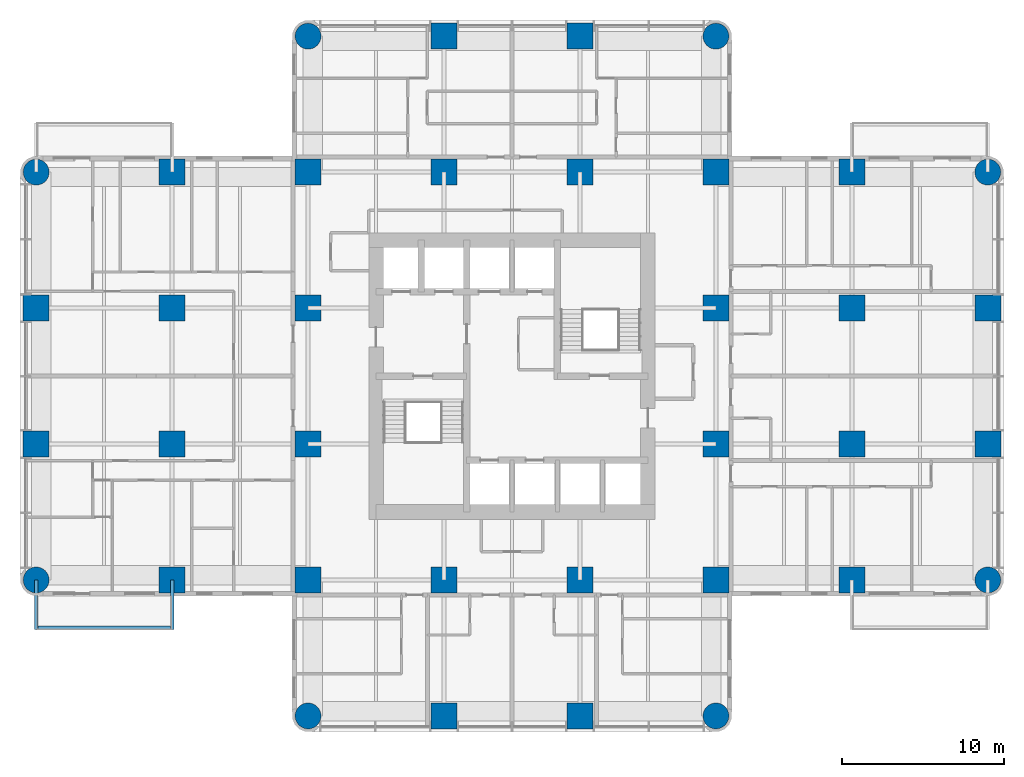
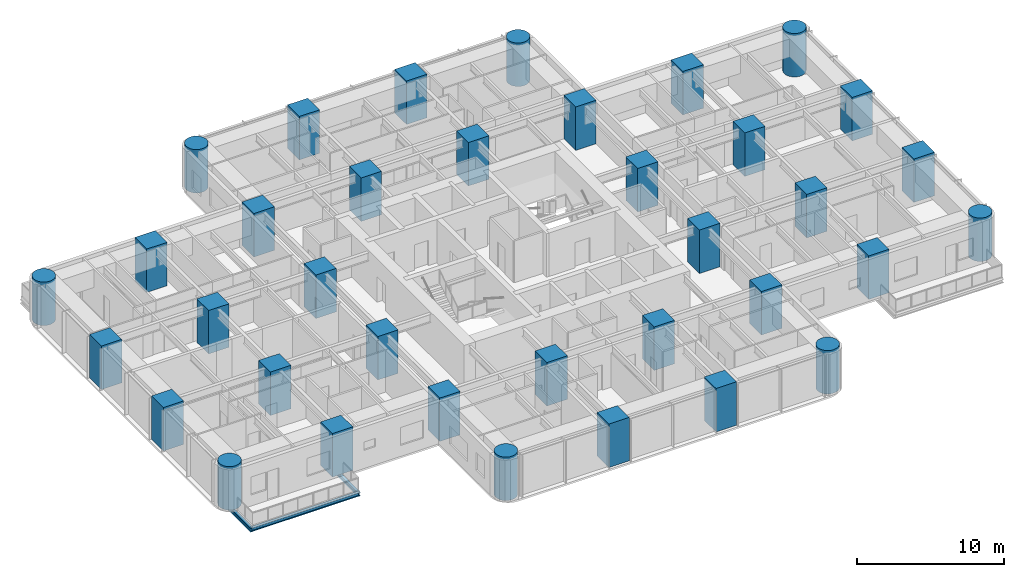
# One storey, part 1 of 14: 36 columns, 3 beams.
"""IFC4 building model written with IfcOpenShell, lengths in metres."""

import ifcopenshell
import ifcopenshell.guid

model = None  # the IFC model being written
_history = None  # IfcOwnerHistory: only IFC2X3 demands one
_inside = {}  # id of a spatial element -> (the spatial element, [elements in it])
_under = {}  # id of a project, library or spatial element -> (it, [spatial elements below it])
_declared = {}  # id of a project -> (the project, [libraries it declares])
_typed = {}  # id of a type object -> (the type object, [elements of that type])
_made_of = {}  # id of a material, layer set ... -> (it, [elements and type objects made of it])


def new_model(schema):
    """Start an empty IFC model of exactly this schema.

    Asked for "IFC4X3", IfcOpenShell would pick the latest addendum, in which some entities
    have other attributes; the version numbers below select the first issue.
    IFC2X3 requires an IfcOwnerHistory on every rooted entity: one is made here for all.
    """
    global model, _history
    if schema == "IFC4X3":
        model = ifcopenshell.file(schema_version=(4, 3, 0, 0))
    else:
        model = ifcopenshell.file(schema=schema)
    _inside.clear()
    _under.clear()
    _declared.clear()
    _typed.clear()
    _made_of.clear()
    _history = None
    if model.schema == "IFC2X3":
        org = make("IfcOrganization", Name="unknown")
        user = make(
            "IfcPersonAndOrganization",
            ThePerson=make("IfcPerson", FamilyName="unknown"),
            TheOrganization=org,
        )
        app = make(
            "IfcApplication",
            ApplicationDeveloper=org,
            Version="unknown",
            ApplicationFullName="unknown",
            ApplicationIdentifier="unknown",
        )
        _history = make(
            "IfcOwnerHistory",
            OwningUser=user,
            OwningApplication=app,
            ChangeAction="ADDED",
            CreationDate=0,
        )
    return model


def make(cls, **values):
    """One entity of the class cls with the attributes given. An attribute that is None is left unset."""
    return model.create_entity(
        cls, **{name: value for name, value in values.items() if value is not None}
    )


def rooted(cls, **values):
    """An entity with a GlobalId (a new one), such as an element, a storey or a relation."""
    return make(cls, GlobalId=ifcopenshell.guid.new(), OwnerHistory=_history, **values)


def si_unit(unit_type, name, prefix=None):
    """IfcSIUnit, for example si_unit("LENGTHUNIT", "METRE", prefix="MILLI")."""
    return make("IfcSIUnit", UnitType=unit_type, Prefix=prefix, Name=name)


def assignment(units):
    """IfcUnitAssignment: the units of a project."""
    return None if units is None else make("IfcUnitAssignment", Units=units)


def point(xyz):
    """IfcCartesianPoint."""
    return None if xyz is None else make("IfcCartesianPoint", Coordinates=xyz)


def direction(xyz):
    """IfcDirection."""
    return None if xyz is None else make("IfcDirection", DirectionRatios=xyz)


def frame(location, z_axis=None, x_axis=None):
    """IfcAxis2Placement3D, a coordinate frame: its origin and axes. An axis left out is left unset."""
    return make(
        "IfcAxis2Placement3D",
        Location=point(location),
        Axis=direction(z_axis),
        RefDirection=direction(x_axis),
    )


def frame_2d(location, x_axis=None):
    """IfcAxis2Placement2D, a coordinate frame in the plane: its origin and x axis."""
    return make(
        "IfcAxis2Placement2D", Location=point(location), RefDirection=direction(x_axis)
    )


def origin():
    """The frame at (0, 0, 0) with its axes left unset."""
    return frame((0.0, 0.0, 0.0))


def origin_2d():
    """The frame at (0, 0) in the plane with its x axis left unset."""
    return frame_2d((0.0, 0.0))


def place(relative_to, where):
    """IfcLocalPlacement: puts the frame where relative to a parent placement (None: the world)."""
    return make(
        "IfcLocalPlacement", PlacementRelTo=relative_to, RelativePlacement=where
    )


def context(
    kind, dimensions, precision=None, world=None, true_north=None, identifier=None
):
    """IfcGeometricRepresentationContext, for example the 3D "Model" context."""
    return make(
        "IfcGeometricRepresentationContext",
        ContextIdentifier=identifier,
        ContextType=kind,
        CoordinateSpaceDimension=dimensions,
        Precision=precision,
        WorldCoordinateSystem=world,
        TrueNorth=true_north,
    )


def subcontext(parent, identifier, kind, view, scale=None):
    """IfcGeometricRepresentationSubContext, for example "Body" below "Model"."""
    return make(
        "IfcGeometricRepresentationSubContext",
        ContextIdentifier=identifier,
        ContextType=kind,
        ParentContext=parent,
        TargetScale=scale,
        TargetView=view,
    )


def project(units=None, contexts=None):
    """IfcProject with its units and contexts."""
    return rooted(
        "IfcProject",
        Name="project",
        RepresentationContexts=contexts,
        UnitsInContext=assignment(units),
    )


def spatial(cls, under=None, at=None, **own):
    """A site, building, storey or space (cls), placed at a placement, below another one or the project."""
    s = rooted(cls, ObjectPlacement=at, **own)
    if under is not None:
        _under.setdefault(under.id(), (under, []))[1].append(s)
    return s


def profile(cls, at=None, kind="AREA", **sizes):
    """A parametric profile (cls). Its sizes go by their IFC names, for example OverallWidth=200.0."""
    return make(cls, ProfileType=kind, Position=at, **sizes)


def rectangle(**sizes):
    """IfcRectangleProfileDef."""
    return profile("IfcRectangleProfileDef", **sizes)


def circle(**sizes):
    """IfcCircleProfileDef."""
    return profile("IfcCircleProfileDef", **sizes)


def i_section(**sizes):
    """IfcIShapeProfileDef."""
    return profile("IfcIShapeProfileDef", **sizes)


def extrude(swept, where, along, depth):
    """IfcExtrudedAreaSolid: the profile swept, set in the frame where, extruded along a direction by depth."""
    return make(
        "IfcExtrudedAreaSolid",
        SweptArea=swept,
        Position=where,
        ExtrudedDirection=direction(along),
        Depth=depth,
    )


def shape(context_of_items, identifier, shape_type, items):
    """IfcShapeRepresentation: the items that make up one representation, for example the "Body"."""
    return make(
        "IfcShapeRepresentation",
        ContextOfItems=context_of_items,
        RepresentationIdentifier=identifier,
        RepresentationType=shape_type,
        Items=items,
    )


def material(Name=None, Category=None):
    """IfcMaterial."""
    return make("IfcMaterial", Name=Name, Category=Category)


def material_profile(
    of_material, cross_section, Name=None, Category=None, Priority=None
):
    """IfcMaterialProfile: a cross section and its material."""
    return make(
        "IfcMaterialProfile",
        Name=Name,
        Material=of_material,
        Profile=cross_section,
        Priority=Priority,
        Category=Category,
    )


def profile_set(profiles, Name=None, composite=None):
    """IfcMaterialProfileSet."""
    return make(
        "IfcMaterialProfileSet",
        Name=Name,
        MaterialProfiles=profiles,
        CompositeProfile=composite,
    )


def made_of(thing, what):
    """Note that an element or type object is made of a material, layer set ...; save() writes the relation."""
    if what is not None:
        _made_of.setdefault(what.id(), (what, []))[1].append(thing)
    return thing


def type_object(cls, material=None, **own):
    """A type object (cls), such as IfcWallType, which elements share."""
    return made_of(rooted(cls, **own), material)


def element(
    cls,
    number,
    at=None,
    inside=None,
    cuts=None,
    type_object=None,
    material=None,
    context=None,
    identifier="Body",
    shape_type=None,
    held_by="IfcProductDefinitionShape",
    body=None,
    shapes=None,
    **own,
):
    """One element of the class cls, such as IfcWall. Its Tag is "e" and its number.

    at: its placement. inside: the storey or other place that contains it. cuts: it is an
    opening in that element (IfcRelVoidsElement). A single representation is given by context,
    identifier, shape_type and body (its items); several are given by shapes. held_by: the class
    of the entity that holds the representations. save() writes the other relations.
    """
    e = rooted(cls, Tag="e%d" % number, ObjectPlacement=at, **own)
    if body is not None:
        shapes = [shape(context, identifier, shape_type, body)]
    if shapes is not None:
        e.Representation = make(held_by, Representations=shapes)
    if inside is not None:
        _inside.setdefault(inside.id(), (inside, []))[1].append(e)
    if cuts is not None:
        rooted(
            "IfcRelVoidsElement", RelatingBuildingElement=cuts, RelatedOpeningElement=e
        )
    if type_object is not None:
        _typed.setdefault(type_object.id(), (type_object, []))[1].append(e)
    return made_of(e, material)


def aggregate(whole, parts):
    """IfcRelAggregates: a whole, such as a stair, and the parts it consists of."""
    return rooted("IfcRelAggregates", RelatingObject=whole, RelatedObjects=parts)


def save(model, path):
    """Write the relations noted so far, then the file.

    IfcRelAggregates (storeys below a building ...), IfcRelContainedInSpatialStructure (elements
    in a storey), IfcRelDefinesByType, IfcRelAssociatesMaterial and IfcRelDeclares: one each for
    every whole, place, type object, material and project.
    """
    for whole, parts in _under.values():
        aggregate(whole, parts)
    for where, things in _inside.values():
        rooted(
            "IfcRelContainedInSpatialStructure",
            RelatedElements=things,
            RelatingStructure=where,
        )
    for kind, things in _typed.values():
        rooted("IfcRelDefinesByType", RelatedObjects=things, RelatingType=kind)
    for what, things in _made_of.values():
        rooted("IfcRelAssociatesMaterial", RelatedObjects=things, RelatingMaterial=what)
    for by, libraries in _declared.values():
        rooted("IfcRelDeclares", RelatingContext=by, RelatedDefinitions=libraries)
    model.write(path)


model = new_model("IFC4")

# Units and contexts
model_context = context("Model", 3, precision=1e-05, world=origin(), true_north=direction((0.0, 1.0)))
body_context = subcontext(model_context, "Body", "Model", "MODEL_VIEW")
ifc_project = project(units=[si_unit("LENGTHUNIT", "METRE"), si_unit("AREAUNIT", "SQUARE_METRE"), si_unit("VOLUMEUNIT", "CUBIC_METRE"), si_unit("PLANEANGLEUNIT", "RADIAN"), si_unit("MASSUNIT", "GRAM", prefix="KILO")], contexts=[model_context])

# Site, building, storey
site_placement = place(None, origin())
site = spatial("IfcSite", under=ifc_project, at=site_placement, CompositionType="ELEMENT")
building_placement = place(site_placement, origin())
building = spatial("IfcBuilding", under=site, at=building_placement, Name="Torre Alcanfor", CompositionType="ELEMENT")
storey_placement = place(building_placement, frame((0.0, 0.0, 159.300048828125)))
storey = spatial("IfcBuildingStorey", under=building, at=storey_placement, Name="L41", CompositionType="ELEMENT", Elevation=159.300048828125)

# Columns
ifc_material_1 = material(Name="Concrete f'c 70 MPa", Category="concrete")
ifc_material_profile_1 = material_profile(ifc_material_1, rectangle(XDim=1.60009765625, YDim=1.60009765625, at=origin_2d()), Name="1600x1600")
ifc_profile_set_1 = profile_set([ifc_material_profile_1], Name="Concrete f'c 70 MPa")
column_type_1 = type_object("IfcColumnType", Name="RC column 1600x1600 f'c70", PredefinedType="COLUMN", material=ifc_profile_set_1)
for number, where, z_axis, x_axis, name in (
    (1, (0.0, 25.199951171875, 0.0), (0.0, 0.0, 1.0), (1.0, 0.0, 0.0), "Column 1/F L41"),
    (2, (0.0, 33.60009765625, 0.0), (0.0, 0.0, 1.0), (1.0, 0.0, 0.0), "Column 1/G L41"),
    (3, (8.39990234375, 16.800048828125, 0.0), (0.0, 0.0, 1.0), (1.0, 0.0, 0.0), "Column 2/E L41"),
    (4, (8.39990234375, 25.199951171875, 0.0), (0.0, 0.0, 1.0), (1.0, 0.0, 0.0), "Column 2/F L41"),
    (5, (8.39990234375, 33.60009765625, 0.0), (0.0, 0.0, 1.0), (1.0, 0.0, 0.0), "Column 2/G L41"),
    (6, (8.39990234375, 42.0, 0.0), (0.0, 0.0, 1.0), (1.0, 0.0, 0.0), "Column 2/H L41"),
    (7, (16.800048828125, 16.800048828125, 0.0), (0.0, 0.0, 1.0), (1.0, 0.0, 0.0), "Column 3/E L41"),
    (8, (16.800048828125, 25.199951171875, 0.0), (0.0, 0.0, 1.0), (1.0, 0.0, 0.0), "Column 3/F L41"),
    (9, (16.800048828125, 33.60009765625, 0.0), (0.0, 0.0, 1.0), (1.0, 0.0, 0.0), "Column 3/G L41"),
    (10, (16.800048828125, 42.0, 0.0), (0.0, 0.0, 1.0), (1.0, 0.0, 0.0), "Column 3/H L41"),
    (11, (25.199951171875, 8.39990234375, 0.0), (0.0, 0.0, 1.0), (1.0, 0.0, 0.0), "Column 4/D L41"),
    (12, (25.199951171875, 16.800048828125, 0.0), (0.0, 0.0, 1.0), (1.0, 0.0, 0.0), "Column 4/E L41"),
    (13, (25.199951171875, 42.0, 0.0), (0.0, 0.0, 1.0), (1.0, 0.0, 0.0), "Column 4/H L41"),
    (14, (25.199951171875, 50.39990234375, 0.0), (0.0, 0.0, 1.0), (1.0, 0.0, 0.0), "Column 4/J L41"),
    (15, (33.60009765625, 8.39990234375, 0.0), (0.0, 0.0, 1.0), (1.0, 0.0, 0.0), "Column 5/D L41"),
    (16, (33.60009765625, 16.800048828125, 0.0), (0.0, 0.0, 1.0), (1.0, 0.0, 0.0), "Column 5/E L41"),
    (17, (33.60009765625, 42.0, 0.0), (0.0, 0.0, 1.0), (1.0, 0.0, 0.0), "Column 5/H L41"),
    (18, (33.60009765625, 50.39990234375, 0.0), (0.0, 0.0, 1.0), (1.0, 0.0, 0.0), "Column 5/J L41"),
    (19, (42.0, 16.800048828125, 0.0), (0.0, 0.0, 1.0), (1.0, 0.0, 0.0), "Column 6/E L41"),
    (20, (42.0, 25.199951171875, 0.0), (0.0, 0.0, 1.0), (1.0, 0.0, 0.0), "Column 6/F L41"),
    (21, (42.0, 33.60009765625, 0.0), (0.0, 0.0, 1.0), (1.0, 0.0, 0.0), "Column 6/G L41"),
    (22, (42.0, 42.0, 0.0), (0.0, 0.0, 1.0), (1.0, 0.0, 0.0), "Column 6/H L41"),
    (23, (50.39990234375, 16.800048828125, 0.0), (0.0, 0.0, 1.0), (1.0, 0.0, 0.0), "Column 7/E L41"),
    (24, (50.39990234375, 25.199951171875, 0.0), (0.0, 0.0, 1.0), (1.0, 0.0, 0.0), "Column 7/F L41"),
    (25, (50.39990234375, 33.60009765625, 0.0), (0.0, 0.0, 1.0), (1.0, 0.0, 0.0), "Column 7/G L41"),
    (26, (50.39990234375, 42.0, 0.0), (0.0, 0.0, 1.0), (1.0, 0.0, 0.0), "Column 7/H L41"),
    (27, (58.800048828125, 25.199951171875, 0.0), (0.0, 0.0, 1.0), (1.0, 0.0, 0.0), "Column 8/F L41"),
    (28, (58.800048828125, 33.60009765625, 0.0), (0.0, 0.0, 1.0), (1.0, 0.0, 0.0), "Column 8/G L41"),
):
    element("IfcColumn", number, at=place(storey_placement, frame(where, z_axis=z_axis, x_axis=x_axis)), inside=storey, type_object=column_type_1, Name=name, PredefinedType="COLUMN", context=body_context, shape_type="SweptSolid", body=[
        extrude(rectangle(XDim=1.60009765625, YDim=1.60009765625, at=origin_2d()), origin(), (0.0, 0.0, 1.0), 3.599853515625),
    ])
ifc_material_2 = material(Name="Concrete f'c 70 MPa", Category="concrete")
ifc_material_profile_2 = material_profile(ifc_material_2, circle(Radius=0.800048828125, at=origin_2d()), Name="D1600")
ifc_profile_set_2 = profile_set([ifc_material_profile_2], Name="Concrete f'c 70 MPa")
column_type_2 = type_object("IfcColumnType", Name="RC column D1600 f'c70", PredefinedType="COLUMN", material=ifc_profile_set_2)
for number, where, z_axis, x_axis, name in (
    (29, (0.0, 16.800048828125, 0.0), (0.0, 0.0, 1.0), (1.0, 0.0, 0.0), "Column 1/E L41"),
    (30, (0.0, 42.0, 0.0), (0.0, 0.0, 1.0), (1.0, 0.0, 0.0), "Column 1/H L41"),
    (31, (16.800048828125, 8.39990234375, 0.0), (0.0, 0.0, 1.0), (1.0, 0.0, 0.0), "Column 3/D L41"),
    (32, (16.800048828125, 50.39990234375, 0.0), (0.0, 0.0, 1.0), (1.0, 0.0, 0.0), "Column 3/J L41"),
    (33, (42.0, 8.39990234375, 0.0), (0.0, 0.0, 1.0), (1.0, 0.0, 0.0), "Column 6/D L41"),
    (34, (42.0, 50.39990234375, 0.0), (0.0, 0.0, 1.0), (1.0, 0.0, 0.0), "Column 6/J L41"),
    (35, (58.800048828125, 16.800048828125, 0.0), (0.0, 0.0, 1.0), (1.0, 0.0, 0.0), "Column 8/E L41"),
    (36, (58.800048828125, 42.0, 0.0), (0.0, 0.0, 1.0), (1.0, 0.0, 0.0), "Column 8/H L41"),
):
    element("IfcColumn", number, at=place(storey_placement, frame(where, z_axis=z_axis, x_axis=x_axis)), inside=storey, type_object=column_type_2, Name=name, PredefinedType="COLUMN", context=body_context, shape_type="SweptSolid", body=[
        extrude(circle(Radius=0.800048828125, at=origin_2d()), origin(), (0.0, 0.0, 1.0), 3.599853515625),
    ])

# Beams
ifc_material_3 = material(Name="Steel ASTM A992 Grade 50", Category="steel")
ifc_material_profile_3 = material_profile(ifc_material_3, i_section(OverallWidth=0.205322265625, OverallDepth=0.309814453125, WebThickness=0.00927734375, FlangeThickness=0.016357421875, at=origin_2d()), Name="W12x50")
ifc_profile_set_3 = profile_set([ifc_material_profile_3], Name="Steel ASTM A992 Grade 50")
beam_type_1 = type_object("IfcBeamType", Name="Balcony cantilever beam W12x50", PredefinedType="BEAM", material=ifc_profile_set_3)
for number, where, z_axis, x_axis, name in (
    (37, (8.39990234375, 16.800048828125, -0.35498046875), (0.0, -1.0, 0.0), (1.0, 0.0, 0.0), "Balcony cantilever beam L41-W1 1"),
    (38, (0.0, 16.800048828125, -0.35498046875), (0.0, -1.0, 0.0), (1.0, 0.0, 0.0), "Balcony cantilever beam L41-W1 2"),
):
    element("IfcBeam", number, at=place(storey_placement, frame(where, z_axis=z_axis, x_axis=x_axis)), inside=storey, type_object=beam_type_1, Name=name, PredefinedType="BEAM", context=body_context, shape_type="SweptSolid", body=[
        extrude(i_section(OverallWidth=0.205322265625, OverallDepth=0.309814453125, WebThickness=0.00927734375, FlangeThickness=0.016357421875, at=origin_2d()), origin(), (0.0, 0.0, 1.0), 3.050048828125),
    ])
ifc_material_4 = material(Name="Steel ASTM A992 Grade 50", Category="steel")
ifc_material_profile_4 = material_profile(ifc_material_4, i_section(OverallWidth=0.203369140625, OverallDepth=0.30224609375, WebThickness=0.007568359375, FlangeThickness=0.01318359375, at=origin_2d()), Name="W12x40")
ifc_profile_set_4 = profile_set([ifc_material_profile_4], Name="Steel ASTM A992 Grade 50")
beam_type_2 = type_object("IfcBeamType", Name="Balcony edge trimmer W12x40", PredefinedType="BEAM", material=ifc_profile_set_4)
beam_placement = place(storey_placement, frame((8.39990234375, 13.851806640625, -0.35107421875), z_axis=(-1.0, 0.0, 0.0), x_axis=(0.0, -1.0, 0.0)))
element("IfcBeam", 39, at=beam_placement, inside=storey, type_object=beam_type_2, Name="Balcony edge trimmer L41-W1", PredefinedType="BEAM", context=body_context, shape_type="SweptSolid", body=[
    extrude(i_section(OverallWidth=0.203369140625, OverallDepth=0.30224609375, WebThickness=0.007568359375, FlangeThickness=0.01318359375, at=origin_2d()), origin(), (0.0, 0.0, 1.0), 8.39990234375),
])

save(model, "model.ifc")
